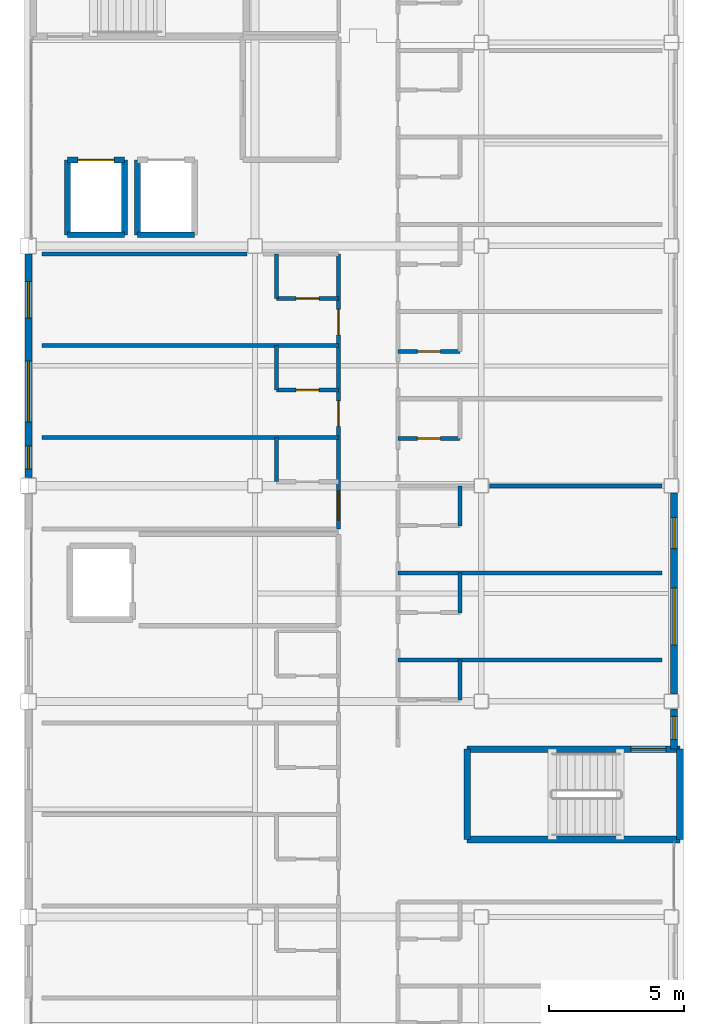
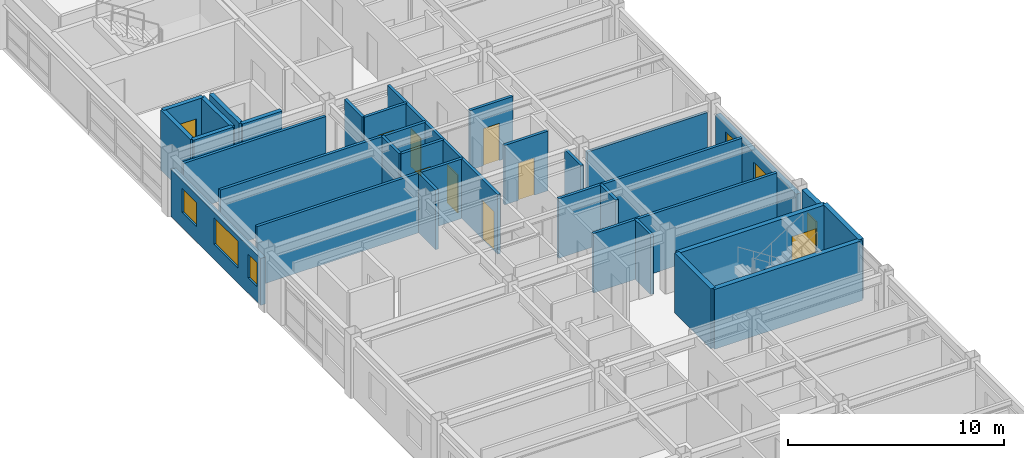
# One storey, part 26 of 36: 30 walls, 9 doors, 6 windows, 15 openings.
"""IFC4 building model written with IfcOpenShell, lengths in metres."""

from ifc_helpers import new_model, si_unit, direction, frame, frame_2d, origin, place, context, subcontext, project, spatial, rectangle, extrude, material, layer, layer_set, type_object, element, fill, save


model = new_model("IFC4")

# Units and contexts
model_context = context("Model", 3, precision=1e-05, world=origin(), true_north=direction((0.0, 1.0)))
body_context = subcontext(model_context, "Body", "Model", "MODEL_VIEW")
ifc_project = project(units=[si_unit("LENGTHUNIT", "METRE"), si_unit("AREAUNIT", "SQUARE_METRE"), si_unit("VOLUMEUNIT", "CUBIC_METRE"), si_unit("PLANEANGLEUNIT", "RADIAN"), si_unit("MASSUNIT", "GRAM", prefix="KILO")], contexts=[model_context])

# Site, building, storey
site_placement = place(None, origin())
site = spatial("IfcSite", under=ifc_project, at=site_placement, CompositionType="ELEMENT")
building_placement = place(site_placement, origin())
building = spatial("IfcBuilding", under=site, at=building_placement, Name="Kazehara Bluff Congress Hotel", CompositionType="ELEMENT")
storey_placement = place(building_placement, frame((0.0, 0.0, 28.199951171875)))
storey = spatial("IfcBuildingStorey", under=building, at=storey_placement, Name="L06", CompositionType="ELEMENT", Elevation=28.199951171875)

# Walls
ifc_material_1 = material(Name="Concrete C40/50", Category="concrete")
ifc_layer_1 = layer(ifc_material_1, 0.25)
ifc_layer_set_1 = layer_set([ifc_layer_1], Name="Concrete C40/50")
wall_type_1 = type_object("IfcWallType", Name="TP-CW-RC", PredefinedType="SHEAR", material=ifc_layer_set_1)
for number, where, z_axis, x_axis, name in (
    (1, (167.875, 22.22509765625, 0.0), (0.0, 0.0, 1.0), (0.0, -1.0, 0.0), "L06 ST-10 core wall near"),
    (2, (159.97509765625, 18.875, 0.0), (0.0, 0.0, 1.0), (0.0, 1.0, 0.0), "L06 ST-10 core wall far"),
):
    element("IfcWall", number, at=place(storey_placement, frame(where, z_axis=z_axis, x_axis=x_axis)), inside=storey, type_object=wall_type_1, Name=name, PredefinedType="SHEAR", context=body_context, shape_type="SweptSolid", body=[
        extrude(rectangle(XDim=3.35009765625, YDim=0.25, at=frame_2d((1.675048828125, 0.0))), origin(), (0.0, 0.0, 1.0), 3.380126953125),
    ])

# Wall, opening, door
wall_1_placement = place(storey_placement, frame((159.97509765625, 22.22509765625, 0.0), z_axis=(0.0, 0.0, 1.0), x_axis=(1.0, 0.0, 0.0)))
wall_1 = element("IfcWall", 3, at=wall_1_placement, inside=storey, type_object=wall_type_1, Name="L06 ST-10 core wall left", PredefinedType="SHEAR", context=body_context, shape_type="SweptSolid", body=[
    extrude(rectangle(XDim=7.89990234375, YDim=0.25, at=frame_2d((3.949951171875, 0.0))), origin(), (0.0, 0.0, 1.0), 3.380126953125),
])
opening_1_placement = place(wall_1_placement, frame((6.074951171875, 0.0, 0.0)))
opening_1 = element("IfcOpeningElement", 4, at=opening_1_placement, cuts=wall_1, Name="Opening FD-01", PredefinedType="OPENING", context=body_context, shape_type="SweptSolid", body=[
    extrude(rectangle(XDim=1.300048828125, YDim=2.199951171875, at=frame_2d((0.64990234375, 1.10009765625))), frame((0.0, 0.135009765625, 0.0), z_axis=(0.0, -1.0, 0.0), x_axis=(1.0, 0.0, 0.0)), (0.0, 0.0, 1.0), 0.27001953125),
])
ifc_material_2 = material(Name="Fire-rated painted steel leaf", Category="steel")
door_type_1 = type_object("IfcDoorType", Name="TP-FD-01", OperationType="NOTDEFINED", PredefinedType="DOOR", material=ifc_material_2)
door_1_placement = place(opening_1_placement, origin())
door_1 = element("IfcDoor", 5, at=door_1_placement, inside=storey, type_object=door_type_1, Name="L06 ST-10 fire stair door", OperationType="SINGLE_SWING_RIGHT", OverallHeight=2.199951171875, OverallWidth=1.300048828125, PredefinedType="DOOR", context=body_context, shape_type="SweptSolid", body=[
    extrude(rectangle(XDim=1.300048828125, YDim=2.199951171875, at=frame_2d((0.64990234375, 1.10009765625))), frame((0.0, 0.02490234375, 0.0), z_axis=(0.0, -1.0, 0.0), x_axis=(1.0, 0.0, 0.0)), (0.0, 0.0, 1.0), 0.050048828125),
])
fill(opening_1, door_1)

# Wall
wall_2_placement = place(storey_placement, frame((167.875, 18.875, 0.0), z_axis=(0.0, 0.0, 1.0), x_axis=(-1.0, 0.0, 0.0)))
element("IfcWall", 6, at=wall_2_placement, inside=storey, type_object=wall_type_1, Name="L06 ST-10 core wall right", PredefinedType="SHEAR", context=body_context, shape_type="SweptSolid", body=[
    extrude(rectangle(XDim=7.89990234375, YDim=0.25, at=frame_2d((3.949951171875, 0.0))), origin(), (0.0, 0.0, 1.0), 3.380126953125),
])

# Wall, opening, window
ifc_material_3 = material(Name="Precast concrete C40/50", Category="concrete")
ifc_layer_2 = layer(ifc_material_3, 0.260009765625)
ifc_layer_set_2 = layer_set([ifc_layer_2], Name="Precast concrete C40/50")
wall_type_2 = type_object("IfcWallType", Name="TP-EW-260", PredefinedType="SOLIDWALL", material=ifc_layer_set_2)
wall_3_placement = place(storey_placement, frame((167.64990234375, 23.72509765625, 0.0), z_axis=(0.0, 0.0, 1.0), x_axis=(0.0, -1.0, 0.0)))
wall_3 = element("IfcWall", 7, at=wall_3_placement, inside=storey, type_object=wall_type_2, Name="L06 hotel facade panel 68", PredefinedType="SOLIDWALL", context=body_context, shape_type="SweptSolid", body=[
    extrude(rectangle(XDim=1.5, YDim=0.260009765625, at=frame_2d((0.75, 0.0))), origin(), (0.0, 0.0, 1.0), 3.364990234375),
])
opening_2_placement = place(wall_3_placement, frame((0.284912109375, 0.0, 0.85009765625)))
opening_2 = element("IfcOpeningElement", 8, at=opening_2_placement, cuts=wall_3, Name="Opening WN-55", PredefinedType="OPENING", context=body_context, shape_type="SweptSolid", body=[
    extrude(rectangle(XDim=0.85009765625, YDim=1.35009765625, at=frame_2d((0.425048828125, 0.675048828125))), frame((0.0, 0.139892578125, 0.0), z_axis=(0.0, -1.0, 0.0), x_axis=(1.0, 0.0, 0.0)), (0.0, 0.0, 1.0), 0.280029296875),
])
ifc_material_4 = material(Name="Insulated low-E double glazing", Category="glass")
window_type_1 = type_object("IfcWindowType", Name="TP-WN-55", PartitioningType="SINGLE_PANEL", PredefinedType="WINDOW", material=ifc_material_4)
window_1_placement = place(opening_2_placement, origin())
window_1 = element("IfcWindow", 9, at=window_1_placement, inside=storey, type_object=window_type_1, Name="L06 guestroom window WN-55 124", OverallHeight=1.35009765625, OverallWidth=0.85009765625, PartitioningType="SINGLE_PANEL", PredefinedType="WINDOW", context=body_context, shape_type="SweptSolid", body=[
    extrude(rectangle(XDim=0.85009765625, YDim=1.35009765625, at=frame_2d((0.425048828125, 0.675048828125))), frame((0.0, 0.030029296875, 0.0), z_axis=(0.0, -1.0, 0.0), x_axis=(1.0, 0.0, 0.0)), (0.0, 0.0, 1.0), 0.06005859375),
])
fill(opening_2, window_1)

# Wall, openings, windows
wall_4_placement = place(storey_placement, frame((167.64990234375, 31.72509765625, 0.0), z_axis=(0.0, 0.0, 1.0), x_axis=(0.0, -1.0, 0.0)))
wall_4 = element("IfcWall", 10, at=wall_4_placement, inside=storey, type_object=wall_type_2, Name="L06 hotel facade panel 69", PredefinedType="SOLIDWALL", context=body_context, shape_type="SweptSolid", body=[
    extrude(rectangle(XDim=7.4501953125, YDim=0.260009765625, at=frame_2d((3.72509765625, 0.0))), origin(), (0.0, 0.0, 1.0), 2.755126953125),
])
opening_3_placement = place(wall_4_placement, frame((3.52490234375, 0.0, 0.85009765625)))
opening_3 = element("IfcOpeningElement", 11, at=opening_3_placement, cuts=wall_4, Name="Opening WN-46", PredefinedType="OPENING", context=body_context, shape_type="SweptSolid", body=[
    extrude(rectangle(XDim=2.10009765625, YDim=1.35009765625, at=frame_2d((1.050048828125, 0.675048828125))), frame((0.0, 0.139892578125, 0.0), z_axis=(0.0, -1.0, 0.0), x_axis=(1.0, 0.0, 0.0)), (0.0, 0.0, 1.0), 0.280029296875),
])
opening_4_placement = place(wall_4_placement, frame((0.905029296875, 0.0, 0.85009765625)))
opening_4 = element("IfcOpeningElement", 12, at=opening_4_placement, cuts=wall_4, Name="Opening WN-02", PredefinedType="OPENING", context=body_context, shape_type="SweptSolid", body=[
    extrude(rectangle(XDim=1.14990234375, YDim=1.5, at=frame_2d((0.574951171875, 0.75))), frame((0.0, 0.139892578125, 0.0), z_axis=(0.0, -1.0, 0.0), x_axis=(1.0, 0.0, 0.0)), (0.0, 0.0, 1.0), 0.280029296875),
])
ifc_material_5 = material(Name="Insulated low-E double glazing", Category="glass")
window_type_2 = type_object("IfcWindowType", Name="TP-WN-02", PartitioningType="SINGLE_PANEL", PredefinedType="WINDOW", material=ifc_material_5)
window_2_placement = place(opening_4_placement, origin())
window_2 = element("IfcWindow", 13, at=window_2_placement, inside=storey, type_object=window_type_2, Name="L06 guestroom window WN-02 126", OverallHeight=1.5, OverallWidth=1.14990234375, PartitioningType="SINGLE_PANEL", PredefinedType="WINDOW", context=body_context, shape_type="SweptSolid", body=[
    extrude(rectangle(XDim=1.14990234375, YDim=1.5, at=frame_2d((0.574951171875, 0.75))), frame((0.0, 0.030029296875, 0.0), z_axis=(0.0, -1.0, 0.0), x_axis=(1.0, 0.0, 0.0)), (0.0, 0.0, 1.0), 0.06005859375),
])
fill(opening_4, window_2)
ifc_material_6 = material(Name="Insulated low-E double glazing", Category="glass")
window_type_3 = type_object("IfcWindowType", Name="TP-WN-46", PartitioningType="DOUBLE_PANEL_VERTICAL", PredefinedType="WINDOW", material=ifc_material_6)
window_3_placement = place(opening_3_placement, origin())
window_3 = element("IfcWindow", 14, at=window_3_placement, inside=storey, type_object=window_type_3, Name="L06 guestroom window WN-46 125", OverallHeight=1.35009765625, OverallWidth=2.10009765625, PartitioningType="SINGLE_PANEL", PredefinedType="WINDOW", context=body_context, shape_type="SweptSolid", body=[
    extrude(rectangle(XDim=2.10009765625, YDim=1.35009765625, at=frame_2d((1.050048828125, 0.675048828125))), frame((0.0, 0.030029296875, 0.0), z_axis=(0.0, -1.0, 0.0), x_axis=(1.0, 0.0, 0.0)), (0.0, 0.0, 1.0), 0.06005859375),
])
fill(opening_3, window_3)

wall_5_placement = place(storey_placement, frame((143.699951171875, 32.300048828125, 0.0), z_axis=(0.0, 0.0, 1.0), x_axis=(0.0, 1.0, 0.0)))
wall_5 = element("IfcWall", 15, at=wall_5_placement, inside=storey, type_object=wall_type_2, Name="L06 hotel facade panel 83", PredefinedType="SOLIDWALL", context=body_context, shape_type="SweptSolid", body=[
    extrude(rectangle(XDim=8.300048828125, YDim=0.260009765625, at=frame_2d((4.14990234375, 0.0))), origin(), (0.0, 0.0, 1.0), 2.655029296875),
])
opening_5_placement = place(wall_5_placement, frame((0.324951171875, 0.0, 0.85009765625)))
opening_5 = element("IfcOpeningElement", 16, at=opening_5_placement, cuts=wall_5, Name="Opening WN-55", PredefinedType="OPENING", context=body_context, shape_type="SweptSolid", body=[
    extrude(rectangle(XDim=0.85009765625, YDim=1.35009765625, at=frame_2d((0.425048828125, 0.675048828125))), frame((0.0, 0.139892578125, 0.0), z_axis=(0.0, -1.0, 0.0), x_axis=(1.0, 0.0, 0.0)), (0.0, 0.0, 1.0), 0.280029296875),
])
opening_6_placement = place(wall_5_placement, frame((2.074951171875, 0.0, 0.85009765625)))
opening_6 = element("IfcOpeningElement", 17, at=opening_6_placement, cuts=wall_5, Name="Opening WN-52", PredefinedType="OPENING", context=body_context, shape_type="SweptSolid", body=[
    extrude(rectangle(XDim=2.25, YDim=1.5, at=frame_2d((1.125, 0.75))), frame((0.0, 0.139892578125, 0.0), z_axis=(0.0, -1.0, 0.0), x_axis=(1.0, 0.0, 0.0)), (0.0, 0.0, 1.0), 0.280029296875),
])
opening_7_placement = place(wall_5_placement, frame((5.925048828125, 0.0, 0.85009765625)))
opening_7 = element("IfcOpeningElement", 18, at=opening_7_placement, cuts=wall_5, Name="Opening WN-11", PredefinedType="OPENING", context=body_context, shape_type="SweptSolid", body=[
    extrude(rectangle(XDim=1.35009765625, YDim=1.35009765625, at=frame_2d((0.675048828125, 0.675048828125))), frame((0.0, 0.139892578125, 0.0), z_axis=(0.0, -1.0, 0.0), x_axis=(1.0, 0.0, 0.0)), (0.0, 0.0, 1.0), 0.280029296875),
])
ifc_material_7 = material(Name="Insulated low-E double glazing", Category="glass")
window_type_4 = type_object("IfcWindowType", Name="TP-WN-11", PartitioningType="SINGLE_PANEL", PredefinedType="WINDOW", material=ifc_material_7)
window_4_placement = place(opening_7_placement, origin())
window_4 = element("IfcWindow", 19, at=window_4_placement, inside=storey, type_object=window_type_4, Name="L06 guestroom window WN-11 153", OverallHeight=1.35009765625, OverallWidth=1.35009765625, PartitioningType="SINGLE_PANEL", PredefinedType="WINDOW", context=body_context, shape_type="SweptSolid", body=[
    extrude(rectangle(XDim=1.35009765625, YDim=1.35009765625, at=frame_2d((0.675048828125, 0.675048828125))), frame((0.0, 0.030029296875, 0.0), z_axis=(0.0, -1.0, 0.0), x_axis=(1.0, 0.0, 0.0)), (0.0, 0.0, 1.0), 0.06005859375),
])
fill(opening_7, window_4)
ifc_material_8 = material(Name="Insulated low-E double glazing", Category="glass")
window_type_5 = type_object("IfcWindowType", Name="TP-WN-52", PartitioningType="DOUBLE_PANEL_VERTICAL", PredefinedType="WINDOW", material=ifc_material_8)
window_5_placement = place(opening_6_placement, origin())
window_5 = element("IfcWindow", 20, at=window_5_placement, inside=storey, type_object=window_type_5, Name="L06 guestroom window WN-52 152", OverallHeight=1.5, OverallWidth=2.25, PartitioningType="SINGLE_PANEL", PredefinedType="WINDOW", context=body_context, shape_type="SweptSolid", body=[
    extrude(rectangle(XDim=2.25, YDim=1.5, at=frame_2d((1.125, 0.75))), frame((0.0, 0.030029296875, 0.0), z_axis=(0.0, -1.0, 0.0), x_axis=(1.0, 0.0, 0.0)), (0.0, 0.0, 1.0), 0.06005859375),
])
fill(opening_6, window_5)
window_6_placement = place(opening_5_placement, origin())
window_6 = element("IfcWindow", 21, at=window_6_placement, inside=storey, type_object=window_type_1, Name="L06 guestroom window WN-55 151", OverallHeight=1.35009765625, OverallWidth=0.85009765625, PartitioningType="SINGLE_PANEL", PredefinedType="WINDOW", context=body_context, shape_type="SweptSolid", body=[
    extrude(rectangle(XDim=0.85009765625, YDim=1.35009765625, at=frame_2d((0.425048828125, 0.675048828125))), frame((0.0, 0.030029296875, 0.0), z_axis=(0.0, -1.0, 0.0), x_axis=(1.0, 0.0, 0.0)), (0.0, 0.0, 1.0), 0.06005859375),
])
fill(opening_5, window_6)

# Walls
ifc_material_9 = material(Name="Fire-rated gypsum board stud partition")
ifc_layer_3 = layer(ifc_material_9, 0.14990234375)
ifc_layer_set_3 = layer_set([ifc_layer_3], Name="Fire-rated gypsum board stud partition")
wall_type_3 = type_object("IfcWallType", Name="TP-PT-150", PredefinedType="PARTITIONING", material=ifc_layer_set_3)
for number, where, z_axis, x_axis, name in (
    (22, (157.39990234375, 25.5400390625, 0.0), (0.0, 0.0, 1.0), (1.0, 0.0, 0.0), "L06 partition PT-150 708"),
    (23, (157.39990234375, 28.77001953125, 0.0), (0.0, 0.0, 1.0), (1.0, 0.0, 0.0), "L06 partition PT-150 712"),
):
    element("IfcWall", number, at=place(storey_placement, frame(where, z_axis=z_axis, x_axis=x_axis)), inside=storey, type_object=wall_type_3, Name=name, PredefinedType="PARTITIONING", context=body_context, shape_type="SweptSolid", body=[
        extrude(rectangle(XDim=9.800048828125, YDim=0.14990234375, at=frame_2d((4.89990234375, 0.0))), origin(), (0.0, 0.0, 1.0), 3.364990234375),
    ])
wall_6_placement = place(storey_placement, frame((160.794921875, 32.0, 0.0), z_axis=(0.0, 0.0, 1.0), x_axis=(1.0, 0.0, 0.0)))
element("IfcWall", 24, at=wall_6_placement, inside=storey, type_object=wall_type_3, Name="L06 partition PT-150 717", PredefinedType="PARTITIONING", context=body_context, shape_type="SweptSolid", body=[
    extrude(rectangle(XDim=6.405029296875, YDim=0.14990234375, at=frame_2d((3.20263671875, 0.0))), origin(), (0.0, 0.0, 1.0), 2.85498046875),
])

# Wall, opening, door
wall_7_placement = place(storey_placement, frame((157.39990234375, 33.75, 0.0), z_axis=(0.0, 0.0, 1.0), x_axis=(1.0, 0.0, 0.0)))
wall_7 = element("IfcWall", 25, at=wall_7_placement, inside=storey, type_object=wall_type_3, Name="L06 partition PT-150 719", PredefinedType="PARTITIONING", context=body_context, shape_type="SweptSolid", body=[
    extrude(rectangle(XDim=2.300048828125, YDim=0.14990234375, at=frame_2d((1.14990234375, 0.0))), origin(), (0.0, 0.0, 1.0), 3.364990234375),
])
opening_8_placement = place(wall_7_placement, frame((0.72509765625, 0.0, 0.0)))
opening_8 = element("IfcOpeningElement", 26, at=opening_8_placement, cuts=wall_7, Name="Opening BD-01", PredefinedType="OPENING", context=body_context, shape_type="SweptSolid", body=[
    extrude(rectangle(XDim=0.85009765625, YDim=2.10009765625, at=frame_2d((0.425048828125, 1.050048828125))), frame((0.0, 0.0849609375, 0.0), z_axis=(0.0, -1.0, 0.0), x_axis=(1.0, 0.0, 0.0)), (0.0, 0.0, 1.0), 0.169921875),
])
ifc_material_10 = material(Name="Architectural oak veneer leaf")
door_type_2 = type_object("IfcDoorType", Name="TP-BD-01", OperationType="NOTDEFINED", PredefinedType="DOOR", material=ifc_material_10)
door_2_placement = place(opening_8_placement, origin())
door_2 = element("IfcDoor", 27, at=door_2_placement, inside=storey, type_object=door_type_2, Name="L06 En-suite Bathroom 147 door", OperationType="SINGLE_SWING_LEFT", OverallHeight=2.10009765625, OverallWidth=0.85009765625, PredefinedType="DOOR", context=body_context, shape_type="SweptSolid", body=[
    extrude(rectangle(XDim=0.85009765625, YDim=2.10009765625, at=frame_2d((0.425048828125, 1.050048828125))), frame((0.0, 0.02490234375, 0.0), z_axis=(0.0, -1.0, 0.0), x_axis=(1.0, 0.0, 0.0)), (0.0, 0.0, 1.0), 0.050048828125),
])
fill(opening_8, door_2)

# Wall
wall_8_placement = place(storey_placement, frame((144.199951171875, 33.800048828125, 0.0), z_axis=(0.0, 0.0, 1.0), x_axis=(1.0, 0.0, 0.0)))
element("IfcWall", 28, at=wall_8_placement, inside=storey, type_object=wall_type_3, Name="L06 partition PT-150 720", PredefinedType="PARTITIONING", context=body_context, shape_type="SweptSolid", body=[
    extrude(rectangle(XDim=11.0, YDim=0.14990234375, at=frame_2d((5.5, 0.0))), origin(), (0.0, 0.0, 1.0), 3.364990234375),
])

# Wall, opening, door
wall_9_placement = place(storey_placement, frame((152.89990234375, 35.550048828125, 0.0), z_axis=(0.0, 0.0, 1.0), x_axis=(1.0, 0.0, 0.0)))
wall_9 = element("IfcWall", 29, at=wall_9_placement, inside=storey, type_object=wall_type_3, Name="L06 partition PT-150 722", PredefinedType="PARTITIONING", context=body_context, shape_type="SweptSolid", body=[
    extrude(rectangle(XDim=2.300048828125, YDim=0.14990234375, at=frame_2d((1.14990234375, 0.0))), origin(), (0.0, 0.0, 1.0), 3.364990234375),
])
opening_9_placement = place(wall_9_placement, frame((0.72509765625, 0.0, 0.0)))
opening_9 = element("IfcOpeningElement", 30, at=opening_9_placement, cuts=wall_9, Name="Opening BD-01", PredefinedType="OPENING", context=body_context, shape_type="SweptSolid", body=[
    extrude(rectangle(XDim=0.85009765625, YDim=2.10009765625, at=frame_2d((0.425048828125, 1.050048828125))), frame((0.0, 0.0849609375, 0.0), z_axis=(0.0, -1.0, 0.0), x_axis=(1.0, 0.0, 0.0)), (0.0, 0.0, 1.0), 0.169921875),
])
door_3_placement = place(opening_9_placement, origin())
door_3 = element("IfcDoor", 31, at=door_3_placement, inside=storey, type_object=door_type_2, Name="L06 En-suite Bathroom 124 door", OperationType="SINGLE_SWING_LEFT", OverallHeight=2.10009765625, OverallWidth=0.85009765625, PredefinedType="DOOR", context=body_context, shape_type="SweptSolid", body=[
    extrude(rectangle(XDim=0.85009765625, YDim=2.10009765625, at=frame_2d((0.425048828125, 1.050048828125))), frame((0.0, 0.02490234375, 0.0), z_axis=(0.0, -1.0, 0.0), x_axis=(1.0, 0.0, 0.0)), (0.0, 0.0, 1.0), 0.050048828125),
])
fill(opening_9, door_3)

wall_10_placement = place(storey_placement, frame((157.39990234375, 36.97998046875, 0.0), z_axis=(0.0, 0.0, 1.0), x_axis=(1.0, 0.0, 0.0)))
wall_10 = element("IfcWall", 32, at=wall_10_placement, inside=storey, type_object=wall_type_3, Name="L06 partition PT-150 723", PredefinedType="PARTITIONING", context=body_context, shape_type="SweptSolid", body=[
    extrude(rectangle(XDim=2.300048828125, YDim=0.14990234375, at=frame_2d((1.14990234375, 0.0))), origin(), (0.0, 0.0, 1.0), 3.364990234375),
])
opening_10_placement = place(wall_10_placement, frame((0.72509765625, 0.0, 0.0)))
opening_10 = element("IfcOpeningElement", 33, at=opening_10_placement, cuts=wall_10, Name="Opening BD-01", PredefinedType="OPENING", context=body_context, shape_type="SweptSolid", body=[
    extrude(rectangle(XDim=0.85009765625, YDim=2.10009765625, at=frame_2d((0.425048828125, 1.050048828125))), frame((0.0, 0.0849609375, 0.0), z_axis=(0.0, -1.0, 0.0), x_axis=(1.0, 0.0, 0.0)), (0.0, 0.0, 1.0), 0.169921875),
])
door_4_placement = place(opening_10_placement, origin())
door_4 = element("IfcDoor", 34, at=door_4_placement, inside=storey, type_object=door_type_2, Name="L06 En-suite Bathroom 148 door", OperationType="SINGLE_SWING_LEFT", OverallHeight=2.10009765625, OverallWidth=0.85009765625, PredefinedType="DOOR", context=body_context, shape_type="SweptSolid", body=[
    extrude(rectangle(XDim=0.85009765625, YDim=2.10009765625, at=frame_2d((0.425048828125, 1.050048828125))), frame((0.0, 0.02490234375, 0.0), z_axis=(0.0, -1.0, 0.0), x_axis=(1.0, 0.0, 0.0)), (0.0, 0.0, 1.0), 0.050048828125),
])
fill(opening_10, door_4)

# Wall
wall_11_placement = place(storey_placement, frame((144.199951171875, 37.199951171875, 0.0), z_axis=(0.0, 0.0, 1.0), x_axis=(1.0, 0.0, 0.0)))
element("IfcWall", 35, at=wall_11_placement, inside=storey, type_object=wall_type_3, Name="L06 partition PT-150 724", PredefinedType="PARTITIONING", context=body_context, shape_type="SweptSolid", body=[
    extrude(rectangle(XDim=11.0, YDim=0.14990234375, at=frame_2d((5.5, 0.0))), origin(), (0.0, 0.0, 1.0), 3.364990234375),
])

# Wall, opening, door
wall_12_placement = place(storey_placement, frame((152.89990234375, 38.949951171875, 0.0), z_axis=(0.0, 0.0, 1.0), x_axis=(1.0, 0.0, 0.0)))
wall_12 = element("IfcWall", 36, at=wall_12_placement, inside=storey, type_object=wall_type_3, Name="L06 partition PT-150 726", PredefinedType="PARTITIONING", context=body_context, shape_type="SweptSolid", body=[
    extrude(rectangle(XDim=2.300048828125, YDim=0.14990234375, at=frame_2d((1.14990234375, 0.0))), origin(), (0.0, 0.0, 1.0), 3.364990234375),
])
opening_11_placement = place(wall_12_placement, frame((0.72509765625, 0.0, 0.0)))
opening_11 = element("IfcOpeningElement", 37, at=opening_11_placement, cuts=wall_12, Name="Opening BD-01", PredefinedType="OPENING", context=body_context, shape_type="SweptSolid", body=[
    extrude(rectangle(XDim=0.85009765625, YDim=2.10009765625, at=frame_2d((0.425048828125, 1.050048828125))), frame((0.0, 0.0849609375, 0.0), z_axis=(0.0, -1.0, 0.0), x_axis=(1.0, 0.0, 0.0)), (0.0, 0.0, 1.0), 0.169921875),
])
door_5_placement = place(opening_11_placement, origin())
door_5 = element("IfcDoor", 38, at=door_5_placement, inside=storey, type_object=door_type_2, Name="L06 En-suite Bathroom 125 door", OperationType="SINGLE_SWING_LEFT", OverallHeight=2.10009765625, OverallWidth=0.85009765625, PredefinedType="DOOR", context=body_context, shape_type="SweptSolid", body=[
    extrude(rectangle(XDim=0.85009765625, YDim=2.10009765625, at=frame_2d((0.425048828125, 1.050048828125))), frame((0.0, 0.02490234375, 0.0), z_axis=(0.0, -1.0, 0.0), x_axis=(1.0, 0.0, 0.0)), (0.0, 0.0, 1.0), 0.050048828125),
])
fill(opening_11, door_5)

# Walls
wall_13_placement = place(storey_placement, frame((144.199951171875, 40.60009765625, 0.0), z_axis=(0.0, 0.0, 1.0), x_axis=(1.0, 0.0, 0.0)))
element("IfcWall", 39, at=wall_13_placement, inside=storey, type_object=wall_type_3, Name="L06 partition PT-150 728", PredefinedType="PARTITIONING", context=body_context, shape_type="SweptSolid", body=[
    extrude(rectangle(XDim=7.60498046875, YDim=0.14990234375, at=frame_2d((3.802490234375, 0.0))), origin(), (0.0, 0.0, 1.0), 2.804931640625),
])
wall_14_placement = place(storey_placement, frame((152.89990234375, 32.14990234375, 0.0), z_axis=(0.0, 0.0, 1.0), x_axis=(0.0, 1.0, 0.0)))
element("IfcWall", 40, at=wall_14_placement, inside=storey, type_object=wall_type_3, Name="L06 partition PT-150 805", PredefinedType="PARTITIONING", context=body_context, shape_type="SweptSolid", body=[
    extrude(rectangle(XDim=1.650146484375, YDim=0.14990234375, at=frame_2d((0.8251953125, 0.0))), origin(), (0.0, 0.0, 1.0), 3.364990234375),
])
wall_15_placement = place(storey_placement, frame((152.89990234375, 35.550048828125, 0.0), z_axis=(0.0, 0.0, 1.0), x_axis=(0.0, 1.0, 0.0)))
element("IfcWall", 41, at=wall_15_placement, inside=storey, type_object=wall_type_3, Name="L06 partition PT-150 806", PredefinedType="PARTITIONING", context=body_context, shape_type="SweptSolid", body=[
    extrude(rectangle(XDim=1.64990234375, YDim=0.14990234375, at=frame_2d((0.824951171875, 0.0))), origin(), (0.0, 0.0, 1.0), 3.364990234375),
])
wall_16_placement = place(storey_placement, frame((152.89990234375, 38.949951171875, 0.0), z_axis=(0.0, 0.0, 1.0), x_axis=(0.0, 1.0, 0.0)))
element("IfcWall", 42, at=wall_16_placement, inside=storey, type_object=wall_type_3, Name="L06 partition PT-150 807", PredefinedType="PARTITIONING", context=body_context, shape_type="SweptSolid", body=[
    extrude(rectangle(XDim=1.650146484375, YDim=0.14990234375, at=frame_2d((0.8251953125, 0.0))), origin(), (0.0, 0.0, 1.0), 3.364990234375),
])

# Wall, openings, doors
wall_17_placement = place(storey_placement, frame((155.199951171875, 30.39990234375, 0.0), z_axis=(0.0, 0.0, 1.0), x_axis=(0.0, 1.0, 0.0)))
wall_17 = element("IfcWall", 43, at=wall_17_placement, inside=storey, type_object=wall_type_3, Name="L06 partition PT-150 823", PredefinedType="PARTITIONING", context=body_context, shape_type="SweptSolid", body=[
    extrude(rectangle(XDim=10.2001953125, YDim=0.14990234375, at=frame_2d((5.10009765625, 0.0))), origin(), (0.0, 0.0, 1.0), 3.364990234375),
])
opening_12_placement = place(wall_17_placement, frame((0.324951171875, 0.0, 0.0)))
opening_12 = element("IfcOpeningElement", 44, at=opening_12_placement, cuts=wall_17, Name="Opening GD-02", PredefinedType="OPENING", context=body_context, shape_type="SweptSolid", body=[
    extrude(rectangle(XDim=1.10009765625, YDim=2.199951171875, at=frame_2d((0.550048828125, 1.10009765625))), frame((0.0, 0.0849609375, 0.0), z_axis=(0.0, -1.0, 0.0), x_axis=(1.0, 0.0, 0.0)), (0.0, 0.0, 1.0), 0.169921875),
])
opening_13_placement = place(wall_17_placement, frame((3.800048828125, 0.0, 0.0)))
opening_13 = element("IfcOpeningElement", 45, at=opening_13_placement, cuts=wall_17, Name="Opening GD-01", PredefinedType="OPENING", context=body_context, shape_type="SweptSolid", body=[
    extrude(rectangle(XDim=0.949951171875, YDim=2.14990234375, at=frame_2d((0.47509765625, 1.074951171875))), frame((0.0, 0.0849609375, 0.0), z_axis=(0.0, -1.0, 0.0), x_axis=(1.0, 0.0, 0.0)), (0.0, 0.0, 1.0), 0.169921875),
])
opening_14_placement = place(wall_17_placement, frame((7.199951171875, 0.0, 0.0)))
opening_14 = element("IfcOpeningElement", 46, at=opening_14_placement, cuts=wall_17, Name="Opening GD-01", PredefinedType="OPENING", context=body_context, shape_type="SweptSolid", body=[
    extrude(rectangle(XDim=0.949951171875, YDim=2.14990234375, at=frame_2d((0.47509765625, 1.074951171875))), frame((0.0, 0.0849609375, 0.0), z_axis=(0.0, -1.0, 0.0), x_axis=(1.0, 0.0, 0.0)), (0.0, 0.0, 1.0), 0.169921875),
])
ifc_material_11 = material(Name="Architectural oak veneer leaf")
door_type_3 = type_object("IfcDoorType", Name="TP-GD-01", OperationType="NOTDEFINED", PredefinedType="DOOR", material=ifc_material_11)
door_6_placement = place(opening_13_placement, origin())
door_6 = element("IfcDoor", 47, at=door_6_placement, inside=storey, type_object=door_type_3, Name="L06 Deluxe Twin Guest Room 124 door", OperationType="SINGLE_SWING_RIGHT", OverallHeight=2.14990234375, OverallWidth=0.949951171875, PredefinedType="DOOR", context=body_context, shape_type="SweptSolid", body=[
    extrude(rectangle(XDim=0.949951171875, YDim=2.14990234375, at=frame_2d((0.47509765625, 1.074951171875))), frame((0.0, 0.02490234375, 0.0), z_axis=(0.0, -1.0, 0.0), x_axis=(1.0, 0.0, 0.0)), (0.0, 0.0, 1.0), 0.050048828125),
])
fill(opening_13, door_6)
door_7_placement = place(opening_14_placement, origin())
door_7 = element("IfcDoor", 48, at=door_7_placement, inside=storey, type_object=door_type_3, Name="L06 Standard King Guest Room 125 door", OperationType="SINGLE_SWING_RIGHT", OverallHeight=2.14990234375, OverallWidth=0.949951171875, PredefinedType="DOOR", context=body_context, shape_type="SweptSolid", body=[
    extrude(rectangle(XDim=0.949951171875, YDim=2.14990234375, at=frame_2d((0.47509765625, 1.074951171875))), frame((0.0, 0.02490234375, 0.0), z_axis=(0.0, -1.0, 0.0), x_axis=(1.0, 0.0, 0.0)), (0.0, 0.0, 1.0), 0.050048828125),
])
fill(opening_14, door_7)
ifc_material_12 = material(Name="Architectural oak veneer leaf")
door_type_4 = type_object("IfcDoorType", Name="TP-GD-02", OperationType="NOTDEFINED", PredefinedType="DOOR", material=ifc_material_12)
door_8_placement = place(opening_12_placement, origin())
door_8 = element("IfcDoor", 49, at=door_8_placement, inside=storey, type_object=door_type_4, Name="L06 Executive Suite 123 door", OperationType="SINGLE_SWING_RIGHT", OverallHeight=2.199951171875, OverallWidth=1.10009765625, PredefinedType="DOOR", context=body_context, shape_type="SweptSolid", body=[
    extrude(rectangle(XDim=1.10009765625, YDim=2.199951171875, at=frame_2d((0.550048828125, 1.10009765625))), frame((0.0, 0.02490234375, 0.0), z_axis=(0.0, -1.0, 0.0), x_axis=(1.0, 0.0, 0.0)), (0.0, 0.0, 1.0), 0.050048828125),
])
fill(opening_12, door_8)

# Walls
wall_18_placement = place(storey_placement, frame((159.699951171875, 24.050048828125, 0.0), z_axis=(0.0, 0.0, 1.0), x_axis=(0.0, 1.0, 0.0)))
element("IfcWall", 50, at=wall_18_placement, inside=storey, type_object=wall_type_3, Name="L06 partition PT-150 836", PredefinedType="PARTITIONING", context=body_context, shape_type="SweptSolid", body=[
    extrude(rectangle(XDim=1.48486328125, YDim=0.14990234375, at=frame_2d((0.742431640625, 0.0))), origin(), (0.0, 0.0, 1.0), 3.364990234375),
])
wall_19_placement = place(storey_placement, frame((159.699951171875, 27.284912109375, 0.0), z_axis=(0.0, 0.0, 1.0), x_axis=(0.0, 1.0, 0.0)))
element("IfcWall", 51, at=wall_19_placement, inside=storey, type_object=wall_type_3, Name="L06 partition PT-150 837", PredefinedType="PARTITIONING", context=body_context, shape_type="SweptSolid", body=[
    extrude(rectangle(XDim=1.47998046875, YDim=0.14990234375, at=frame_2d((0.739990234375, 0.0))), origin(), (0.0, 0.0, 1.0), 3.364990234375),
])
wall_20_placement = place(storey_placement, frame((159.699951171875, 30.514892578125, 0.0), z_axis=(0.0, 0.0, 1.0), x_axis=(0.0, 1.0, 0.0)))
element("IfcWall", 52, at=wall_20_placement, inside=storey, type_object=wall_type_3, Name="L06 partition PT-150 838", PredefinedType="PARTITIONING", context=body_context, shape_type="SweptSolid", body=[
    extrude(rectangle(XDim=1.485107421875, YDim=0.14990234375, at=frame_2d((0.74267578125, 0.0))), origin(), (0.0, 0.0, 1.0), 3.364990234375),
])

# Wall, opening, door
ifc_material_13 = material(Name="Concrete C40/50", Category="concrete")
ifc_layer_4 = layer(ifc_material_13, 0.219970703125)
ifc_layer_set_4 = layer_set([ifc_layer_4], Name="Concrete C40/50")
wall_type_4 = type_object("IfcWallType", Name="TP-SW-RC", PredefinedType="SHEAR", material=ifc_layer_set_4)
wall_21_placement = place(storey_placement, frame((145.139892578125, 44.0849609375, 0.0), z_axis=(0.0, 0.0, 1.0), x_axis=(1.0, 0.0, 0.0)))
wall_21 = element("IfcWall", 53, at=wall_21_placement, inside=storey, type_object=wall_type_4, Name="L06 EL-E1 lift shaft wall +Y", PredefinedType="SHEAR", context=body_context, shape_type="SweptSolid", body=[
    extrude(rectangle(XDim=2.1201171875, YDim=0.219970703125, at=frame_2d((1.06005859375, 0.0))), origin(), (0.0, 0.0, 1.0), 3.380126953125),
])
opening_15_placement = place(wall_21_placement, frame((0.385009765625, 0.0, 0.0)))
opening_15 = element("IfcOpeningElement", 54, at=opening_15_placement, cuts=wall_21, Name="Opening LD-03", PredefinedType="OPENING", context=body_context, shape_type="SweptSolid", body=[
    extrude(rectangle(XDim=1.35009765625, YDim=2.300048828125, at=frame_2d((0.675048828125, 1.14990234375))), frame((0.0, 0.119873046875, 0.0), z_axis=(0.0, -1.0, 0.0), x_axis=(1.0, 0.0, 0.0)), (0.0, 0.0, 1.0), 0.239990234375),
])
ifc_material_14 = material(Name="Fire-rated painted steel leaf", Category="steel")
door_type_5 = type_object("IfcDoorType", Name="TP-LD-03", OperationType="SLIDING_TO_LEFT", PredefinedType="DOOR", material=ifc_material_14)
door_9_placement = place(opening_15_placement, origin())
door_9 = element("IfcDoor", 55, at=door_9_placement, inside=storey, type_object=door_type_5, Name="L06 EL-E1 elevator landing door", OperationType="SLIDING_TO_LEFT", OverallHeight=2.300048828125, OverallWidth=1.35009765625, PredefinedType="DOOR", context=body_context, shape_type="SweptSolid", body=[
    extrude(rectangle(XDim=1.35009765625, YDim=2.300048828125, at=frame_2d((0.675048828125, 1.14990234375))), frame((0.0, 0.02490234375, 0.0), z_axis=(0.0, -1.0, 0.0), x_axis=(1.0, 0.0, 0.0)), (0.0, 0.0, 1.0), 0.050048828125),
])
fill(opening_15, door_9)

# Walls
wall_22_placement = place(storey_placement, frame((145.139892578125, 41.31494140625, 0.0), z_axis=(0.0, 0.0, 1.0), x_axis=(1.0, 0.0, 0.0)))
element("IfcWall", 56, at=wall_22_placement, inside=storey, type_object=wall_type_4, Name="L06 EL-E1 lift shaft wall -Y", PredefinedType="SHEAR", context=body_context, shape_type="SweptSolid", body=[
    extrude(rectangle(XDim=2.1201171875, YDim=0.219970703125, at=frame_2d((1.06005859375, 0.0))), origin(), (0.0, 0.0, 1.0), 3.380126953125),
])
for number, where, z_axis, x_axis, name in (
    (57, (147.260009765625, 41.31494140625, 0.0), (0.0, 0.0, 1.0), (0.0, 1.0, 0.0), "L06 EL-E1 lift shaft wall +X"),
    (58, (145.139892578125, 41.31494140625, 0.0), (0.0, 0.0, 1.0), (0.0, 1.0, 0.0), "L06 EL-E1 lift shaft wall -X"),
):
    element("IfcWall", number, at=place(storey_placement, frame(where, z_axis=z_axis, x_axis=x_axis)), inside=storey, type_object=wall_type_4, Name=name, PredefinedType="SHEAR", context=body_context, shape_type="SweptSolid", body=[
        extrude(rectangle(XDim=2.77001953125, YDim=0.219970703125, at=frame_2d((1.385009765625, 0.0))), origin(), (0.0, 0.0, 1.0), 3.380126953125),
    ])
wall_23_placement = place(storey_placement, frame((147.739990234375, 41.31494140625, 0.0), z_axis=(0.0, 0.0, 1.0), x_axis=(1.0, 0.0, 0.0)))
element("IfcWall", 59, at=wall_23_placement, inside=storey, type_object=wall_type_4, Name="L06 EL-E2 lift shaft wall -Y", PredefinedType="SHEAR", context=body_context, shape_type="SweptSolid", body=[
    extrude(rectangle(XDim=2.1201171875, YDim=0.219970703125, at=frame_2d((1.06005859375, 0.0))), origin(), (0.0, 0.0, 1.0), 3.380126953125),
])
wall_24_placement = place(storey_placement, frame((147.739990234375, 41.31494140625, 0.0), z_axis=(0.0, 0.0, 1.0), x_axis=(0.0, 1.0, 0.0)))
element("IfcWall", 60, at=wall_24_placement, inside=storey, type_object=wall_type_4, Name="L06 EL-E2 lift shaft wall -X", PredefinedType="SHEAR", context=body_context, shape_type="SweptSolid", body=[
    extrude(rectangle(XDim=2.77001953125, YDim=0.219970703125, at=frame_2d((1.385009765625, 0.0))), origin(), (0.0, 0.0, 1.0), 3.380126953125),
])

save(model, "model.ifc")
